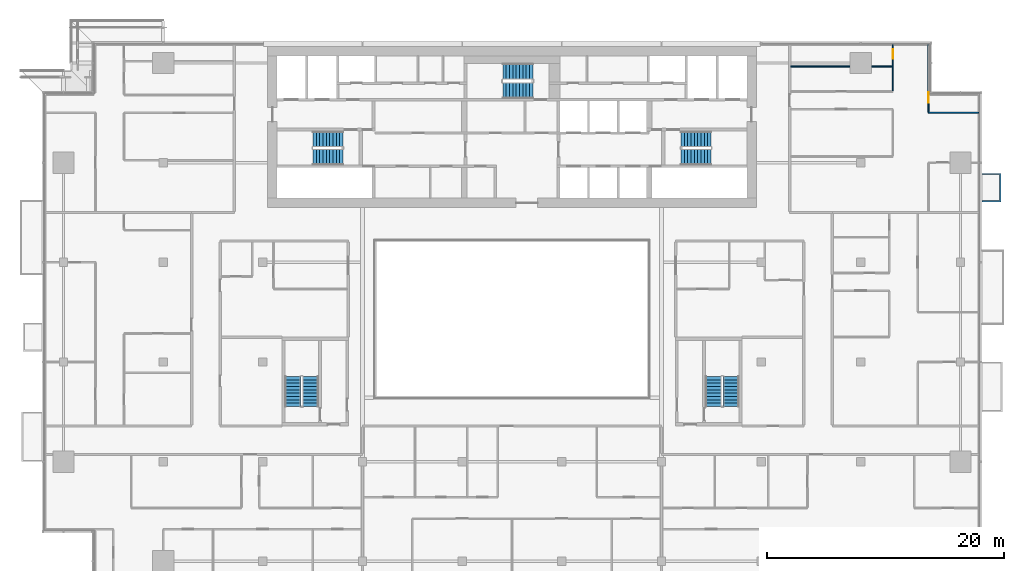
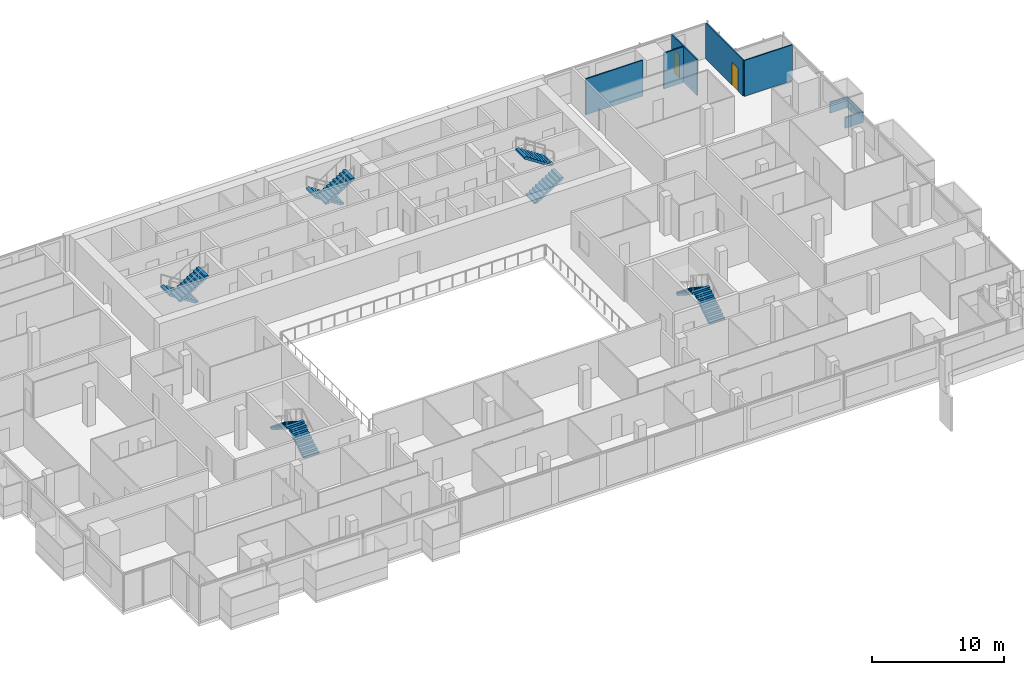
# One storey, part 24 of 30: 10 stair flights, 6 walls, 2 doors, 2 openings, 5 elements without a shape of their own.
"""IFC4 building model written with IfcOpenShell, lengths in metres."""

from ifc_helpers import new_model, si_unit, direction, frame, frame_2d, origin, place, context, subcontext, project, spatial, polyline, rectangle, outline, extrude, material, layer, layer_set, type_object, element, fill, aggregate, save


model = new_model("IFC4")

# Units and contexts
model_context = context("Model", 3, precision=1e-05, world=origin(), true_north=direction((0.0, 1.0)))
body_context = subcontext(model_context, "Body", "Model", "MODEL_VIEW")
ifc_project = project(units=[si_unit("LENGTHUNIT", "METRE"), si_unit("AREAUNIT", "SQUARE_METRE"), si_unit("VOLUMEUNIT", "CUBIC_METRE"), si_unit("PLANEANGLEUNIT", "RADIAN"), si_unit("MASSUNIT", "GRAM", prefix="KILO")], contexts=[model_context])

# Site, building, storey
site_placement = place(None, origin())
site = spatial("IfcSite", under=ifc_project, at=site_placement, CompositionType="ELEMENT")
building_placement = place(site_placement, origin())
building = spatial("IfcBuilding", under=site, at=building_placement, Name="Saffron Gate Tower", CompositionType="ELEMENT")
storey_placement = place(building_placement, frame((0.0, 0.0, 158.25)))
storey = spatial("IfcBuildingStorey", under=building, at=storey_placement, Name="L38", CompositionType="ELEMENT", Elevation=158.25)

# Walls
ifc_material_1 = material(Name="Plasterboard on steel studs", Category="steel")
ifc_layer_1 = layer(ifc_material_1, 0.10009765625)
ifc_layer_set_1 = layer_set([ifc_layer_1], Name="PW1 Partition 100")
wall_type_1 = type_object("IfcWallType", Name="PW1 Partition 100", PredefinedType="PARTITIONING", material=ifc_layer_set_1)
wall_1_placement = place(storey_placement, frame((122.699951171875, 69.60009765625, 0.0), z_axis=(0.0, 0.0, 1.0), x_axis=(1.0, 0.0, 0.0)))
element("IfcWall", 1, at=wall_1_placement, inside=storey, type_object=wall_type_1, Name="Partition C2-54", PredefinedType="PARTITIONING", context=body_context, shape_type="SweptSolid", body=[
    extrude(rectangle(XDim=4.219970703125, YDim=0.10009765625, at=frame_2d((2.10986328125, 0.0))), origin(), (0.0, 0.0, 1.0), 3.320068359375),
])
wall_2_placement = place(storey_placement, frame((111.10009765625, 73.5, 0.0), z_axis=(0.0, 0.0, 1.0), x_axis=(1.0, 0.0, 0.0)))
element("IfcWall", 2, at=wall_2_placement, inside=storey, type_object=wall_type_1, Name="Partition C2-58", PredefinedType="PARTITIONING", context=body_context, shape_type="SweptSolid", body=[
    extrude(rectangle(XDim=4.97998046875, YDim=0.10009765625, at=frame_2d((2.489990234375, 0.0))), origin(), (0.0, 0.0, 1.0), 3.320068359375),
])
wall_3_placement = place(storey_placement, frame((117.919921875, 73.5, 0.0), z_axis=(0.0, 0.0, 1.0), x_axis=(1.0, 0.0, 0.0)))
element("IfcWall", 3, at=wall_3_placement, inside=storey, type_object=wall_type_1, Name="Partition C2-59", PredefinedType="PARTITIONING", context=body_context, shape_type="SweptSolid", body=[
    extrude(rectangle(XDim=1.72998046875, YDim=0.10009765625, at=frame_2d((0.864990234375, 0.0))), origin(), (0.0, 0.0, 1.0), 3.320068359375),
])

# Wall, opening, door
wall_4_placement = place(storey_placement, frame((119.699951171875, 71.449951171875, 0.0), z_axis=(0.0, 0.0, 1.0), x_axis=(0.0, 1.0, 0.0)))
wall_4 = element("IfcWall", 4, at=wall_4_placement, inside=storey, type_object=wall_type_1, Name="Partition C2-113", PredefinedType="PARTITIONING", context=body_context, shape_type="SweptSolid", body=[
    extrude(rectangle(XDim=3.8701171875, YDim=0.10009765625, at=frame_2d((1.93505859375, 0.0))), origin(), (0.0, 0.0, 1.0), 3.320068359375),
])
opening_1_placement = place(wall_4_placement, frame((2.699951171875, 0.0, 0.0)))
opening_1 = element("IfcOpeningElement", 5, at=opening_1_placement, cuts=wall_4, Name="Opening C2-51", PredefinedType="OPENING", context=body_context, shape_type="SweptSolid", body=[
    extrude(rectangle(XDim=0.800048828125, YDim=2.10009765625, at=frame_2d((0.39990234375, 1.050048828125))), frame((0.0, 0.06005859375, 0.0), z_axis=(0.0, -1.0, 0.0), x_axis=(1.0, 0.0, 0.0)), (0.0, 0.0, 1.0), 0.1201171875),
])
ifc_material_2 = material(Name="Timber door set", Category="wood")
door_type_1 = type_object("IfcDoorType", Name="RD2 Bathroom door 800x2100", OperationType="NOTDEFINED", PredefinedType="DOOR", material=ifc_material_2)
door_1_placement = place(opening_1_placement, origin())
door_1 = element("IfcDoor", 6, at=door_1_placement, inside=storey, type_object=door_type_1, Name="Door C2-51", OperationType="SINGLE_SWING_RIGHT", OverallHeight=2.10009765625, OverallWidth=0.800048828125, PredefinedType="DOOR", context=body_context, shape_type="SweptSolid", body=[
    extrude(rectangle(XDim=0.800048828125, YDim=2.10009765625, at=frame_2d((0.39990234375, 1.050048828125))), frame((0.0, 0.02490234375, 0.0), z_axis=(0.0, -1.0, 0.0), x_axis=(1.0, 0.0, 0.0)), (0.0, 0.0, 1.0), 0.050048828125),
])
fill(opening_1, door_1)

wall_5_placement = place(storey_placement, frame((122.699951171875, 75.320068359375, 0.0), z_axis=(0.0, 0.0, 1.0), x_axis=(0.0, -1.0, 0.0)))
wall_5 = element("IfcWall", 7, at=wall_5_placement, inside=storey, type_object=wall_type_1, Name="Partition C2-119", PredefinedType="PARTITIONING", context=body_context, shape_type="SweptSolid", body=[
    extrude(rectangle(XDim=5.670166015625, YDim=0.10009765625, at=frame_2d((2.8349609375, 0.0))), origin(), (0.0, 0.0, 1.0), 3.320068359375),
])
opening_2_placement = place(wall_5_placement, frame((3.96630859375, 0.0, 0.0)))
opening_2 = element("IfcOpeningElement", 8, at=opening_2_placement, cuts=wall_5, Name="Opening C2-35", PredefinedType="OPENING", context=body_context, shape_type="SweptSolid", body=[
    extrude(rectangle(XDim=0.89990234375, YDim=2.10009765625, at=frame_2d((0.449951171875, 1.050048828125))), frame((0.0, 0.06005859375, 0.0), z_axis=(0.0, -1.0, 0.0), x_axis=(1.0, 0.0, 0.0)), (0.0, 0.0, 1.0), 0.1201171875),
])
door_type_2 = type_object("IfcDoorType", Name="RD1 Room door 900x2100", OperationType="NOTDEFINED", PredefinedType="DOOR", material=ifc_material_2)
door_2_placement = place(opening_2_placement, origin())
door_2 = element("IfcDoor", 9, at=door_2_placement, inside=storey, type_object=door_type_2, Name="Door C2-35", OperationType="SINGLE_SWING_RIGHT", OverallHeight=2.10009765625, OverallWidth=0.89990234375, PredefinedType="DOOR", context=body_context, shape_type="SweptSolid", body=[
    extrude(rectangle(XDim=0.89990234375, YDim=2.10009765625, at=frame_2d((0.449951171875, 1.050048828125))), frame((0.0, 0.02490234375, 0.0), z_axis=(0.0, -1.0, 0.0), x_axis=(1.0, 0.0, 0.0)), (0.0, 0.0, 1.0), 0.050048828125),
])
fill(opening_2, door_2)

# Wall
ifc_material_3 = material(Name="Rendered insulated panel, white")
ifc_layer_2 = layer(ifc_material_3, 0.10009765625)
ifc_layer_set_2 = layer_set([ifc_layer_2], Name="WB3 box parapet white")
wall_type_2 = type_object("IfcWallType", Name="WB3 box parapet white", PredefinedType="SOLIDWALL", material=ifc_layer_set_2)
wall_6_placement = place(storey_placement, origin())
element("IfcWall", 10, at=wall_6_placement, inside=storey, type_object=wall_type_2, Name="WINDOW BOX parapet", PredefinedType="SOLIDWALL", context=body_context, shape_type="SweptSolid", body=[
    extrude(outline(polyline([(127.199951171875, 62.10009765625), (127.199951171875, 62.199951171875), (128.699951171875, 62.199951171875), (128.699951171875, 64.39990234375), (127.199951171875, 64.39990234375), (127.199951171875, 64.5), (128.800048828125, 64.5), (128.800048828125, 62.10009765625), (127.199951171875, 62.10009765625)])), origin(), (0.0, 0.0, 1.0), 1.0),
])

# Stair, stair flights
ifc_material_4 = material(Name="Concrete C40", Category="concrete")
stair_type = type_object("IfcStairType", Name="ST7 Stair 1350 wide, 20 risers of 180", PredefinedType="HALF_TURN_STAIR", material=ifc_material_4)
stair_1_placement = place(storey_placement, origin())
stair_1 = element("IfcStair", 11, at=stair_1_placement, inside=storey, type_object=stair_type, Name="L38 Exit stair A", PredefinedType="HALF_TURN_STAIR")
stair_flight_type = type_object("IfcStairFlightType", Name="SF3 Stair flight 1350 wide, riser 180 going 280", PredefinedType="STRAIGHT", material=ifc_material_4)
stair_flight_1_placement = place(storey_placement, frame((73.35009765625, 67.375, 0.0), z_axis=(0.0, 0.0, 1.0), x_axis=(-1.0, 0.0, 0.0)))
stair_flight_1 = element("IfcStairFlight", 12, at=stair_flight_1_placement, type_object=stair_flight_type, Name="ST-A flight 1", NumberOfRisers=10, NumberOfTreads=9, PredefinedType="STRAIGHT", RiserHeight=0.18, TreadLength=0.28, context=body_context, shape_type="SweptSolid", body=[
    extrude(outline(polyline([(0.0, 0.0), (0.0, 0.179931640625), (0.280029296875, 0.179931640625), (0.280029296875, 0.360107421875), (0.56005859375, 0.360107421875), (0.56005859375, 0.5400390625), (0.840087890625, 0.5400390625), (0.840087890625, 0.719970703125), (1.1201171875, 0.719970703125), (1.1201171875, 0.89990234375), (1.39990234375, 0.89990234375), (1.39990234375, 1.080078125), (1.679931640625, 1.080078125), (1.679931640625, 1.260009765625), (1.9599609375, 1.260009765625), (1.9599609375, 1.43994140625), (2.239990234375, 1.43994140625), (2.239990234375, 1.6201171875), (2.52001953125, 1.6201171875), (2.52001953125, 1.800048828125), (2.52001953125, 1.44189453125), (0.277099609375, 0.0), (0.0, 0.0)])), frame((0.0, 0.675048828125, 0.0), z_axis=(0.0, -1.0, 0.0), x_axis=(1.0, 0.0, 0.0)), (0.0, 0.0, 1.0), 1.35009765625),
])
stair_flight_2_placement = place(storey_placement, frame((70.830078125, 65.875, 1.800048828125), z_axis=(0.0, 0.0, 1.0), x_axis=(1.0, 0.0, 0.0)))
stair_flight_2 = element("IfcStairFlight", 13, at=stair_flight_2_placement, type_object=stair_flight_type, Name="ST-A flight 2", NumberOfRisers=10, NumberOfTreads=9, PredefinedType="STRAIGHT", RiserHeight=0.18, TreadLength=0.28, context=body_context, shape_type="SweptSolid", body=[
    extrude(outline(polyline([(0.0, 0.0), (0.0, 0.179931640625), (0.280029296875, 0.179931640625), (0.280029296875, 0.360107421875), (0.56005859375, 0.360107421875), (0.56005859375, 0.5400390625), (0.840087890625, 0.5400390625), (0.840087890625, 0.719970703125), (1.1201171875, 0.719970703125), (1.1201171875, 0.89990234375), (1.39990234375, 0.89990234375), (1.39990234375, 1.080078125), (1.679931640625, 1.080078125), (1.679931640625, 1.260009765625), (1.9599609375, 1.260009765625), (1.9599609375, 1.43994140625), (2.239990234375, 1.43994140625), (2.239990234375, 1.6201171875), (2.52001953125, 1.6201171875), (2.52001953125, 1.800048828125), (2.52001953125, 1.44189453125), (0.277099609375, 0.0), (0.0, 0.0)])), frame((0.0, 0.675048828125, 0.0), z_axis=(0.0, -1.0, 0.0), x_axis=(1.0, 0.0, 0.0)), (0.0, 0.0, 1.0), 1.35009765625),
])
aggregate(stair_1, [stair_flight_1, stair_flight_2])

stair_2_placement = place(storey_placement, origin())
stair_2 = element("IfcStair", 14, at=stair_2_placement, inside=storey, type_object=stair_type, Name="L38 Exit stair B", PredefinedType="HALF_TURN_STAIR")
stair_flight_3_placement = place(storey_placement, frame((101.85009765625, 65.875, 0.0), z_axis=(0.0, 0.0, 1.0), x_axis=(1.0, 0.0, 0.0)))
stair_flight_3 = element("IfcStairFlight", 15, at=stair_flight_3_placement, type_object=stair_flight_type, Name="ST-B flight 1", NumberOfRisers=10, NumberOfTreads=9, PredefinedType="STRAIGHT", RiserHeight=0.18, TreadLength=0.28, context=body_context, shape_type="SweptSolid", body=[
    extrude(outline(polyline([(0.0, 0.0), (0.0, 0.179931640625), (0.280029296875, 0.179931640625), (0.280029296875, 0.360107421875), (0.56005859375, 0.360107421875), (0.56005859375, 0.5400390625), (0.840087890625, 0.5400390625), (0.840087890625, 0.719970703125), (1.1201171875, 0.719970703125), (1.1201171875, 0.89990234375), (1.39990234375, 0.89990234375), (1.39990234375, 1.080078125), (1.679931640625, 1.080078125), (1.679931640625, 1.260009765625), (1.9599609375, 1.260009765625), (1.9599609375, 1.43994140625), (2.239990234375, 1.43994140625), (2.239990234375, 1.6201171875), (2.52001953125, 1.6201171875), (2.52001953125, 1.800048828125), (2.52001953125, 1.44189453125), (0.277099609375, 0.0), (0.0, 0.0)])), frame((0.0, 0.675048828125, 0.0), z_axis=(0.0, -1.0, 0.0), x_axis=(1.0, 0.0, 0.0)), (0.0, 0.0, 1.0), 1.35009765625),
])
stair_flight_4_placement = place(storey_placement, frame((104.3701171875, 67.375, 1.800048828125), z_axis=(0.0, 0.0, 1.0), x_axis=(-1.0, 0.0, 0.0)))
stair_flight_4 = element("IfcStairFlight", 16, at=stair_flight_4_placement, type_object=stair_flight_type, Name="ST-B flight 2", NumberOfRisers=10, NumberOfTreads=9, PredefinedType="STRAIGHT", RiserHeight=0.18, TreadLength=0.28, context=body_context, shape_type="SweptSolid", body=[
    extrude(outline(polyline([(0.0, 0.0), (0.0, 0.179931640625), (0.280029296875, 0.179931640625), (0.280029296875, 0.360107421875), (0.56005859375, 0.360107421875), (0.56005859375, 0.5400390625), (0.840087890625, 0.5400390625), (0.840087890625, 0.719970703125), (1.1201171875, 0.719970703125), (1.1201171875, 0.89990234375), (1.39990234375, 0.89990234375), (1.39990234375, 1.080078125), (1.679931640625, 1.080078125), (1.679931640625, 1.260009765625), (1.9599609375, 1.260009765625), (1.9599609375, 1.43994140625), (2.239990234375, 1.43994140625), (2.239990234375, 1.6201171875), (2.52001953125, 1.6201171875), (2.52001953125, 1.800048828125), (2.52001953125, 1.44189453125), (0.277099609375, 0.0), (0.0, 0.0)])), frame((0.0, 0.675048828125, 0.0), z_axis=(0.0, -1.0, 0.0), x_axis=(1.0, 0.0, 0.0)), (0.0, 0.0, 1.0), 1.35009765625),
])
aggregate(stair_2, [stair_flight_3, stair_flight_4])

stair_3_placement = place(storey_placement, origin())
stair_3 = element("IfcStair", 17, at=stair_3_placement, inside=storey, type_object=stair_type, Name="L38 Exit stair C", PredefinedType="HALF_TURN_STAIR")
stair_flight_5_placement = place(storey_placement, frame((89.35009765625, 73.074951171875, 0.0), z_axis=(0.0, 0.0, 1.0), x_axis=(-1.0, 0.0, 0.0)))
stair_flight_5 = element("IfcStairFlight", 18, at=stair_flight_5_placement, type_object=stair_flight_type, Name="ST-C flight 1", NumberOfRisers=10, NumberOfTreads=9, PredefinedType="STRAIGHT", RiserHeight=0.18, TreadLength=0.28, context=body_context, shape_type="SweptSolid", body=[
    extrude(outline(polyline([(0.0, 0.0), (0.0, 0.179931640625), (0.280029296875, 0.179931640625), (0.280029296875, 0.360107421875), (0.56005859375, 0.360107421875), (0.56005859375, 0.5400390625), (0.840087890625, 0.5400390625), (0.840087890625, 0.719970703125), (1.1201171875, 0.719970703125), (1.1201171875, 0.89990234375), (1.39990234375, 0.89990234375), (1.39990234375, 1.080078125), (1.679931640625, 1.080078125), (1.679931640625, 1.260009765625), (1.9599609375, 1.260009765625), (1.9599609375, 1.43994140625), (2.239990234375, 1.43994140625), (2.239990234375, 1.6201171875), (2.52001953125, 1.6201171875), (2.52001953125, 1.800048828125), (2.52001953125, 1.44189453125), (0.277099609375, 0.0), (0.0, 0.0)])), frame((0.0, 0.675048828125, 0.0), z_axis=(0.0, -1.0, 0.0), x_axis=(1.0, 0.0, 0.0)), (0.0, 0.0, 1.0), 1.35009765625),
])
stair_flight_6_placement = place(storey_placement, frame((86.830078125, 71.47509765625, 1.800048828125), z_axis=(0.0, 0.0, 1.0), x_axis=(1.0, 0.0, 0.0)))
stair_flight_6 = element("IfcStairFlight", 19, at=stair_flight_6_placement, type_object=stair_flight_type, Name="ST-C flight 2", NumberOfRisers=10, NumberOfTreads=9, PredefinedType="STRAIGHT", RiserHeight=0.18, TreadLength=0.28, context=body_context, shape_type="SweptSolid", body=[
    extrude(outline(polyline([(0.0, 0.0), (0.0, 0.179931640625), (0.280029296875, 0.179931640625), (0.280029296875, 0.360107421875), (0.56005859375, 0.360107421875), (0.56005859375, 0.5400390625), (0.840087890625, 0.5400390625), (0.840087890625, 0.719970703125), (1.1201171875, 0.719970703125), (1.1201171875, 0.89990234375), (1.39990234375, 0.89990234375), (1.39990234375, 1.080078125), (1.679931640625, 1.080078125), (1.679931640625, 1.260009765625), (1.9599609375, 1.260009765625), (1.9599609375, 1.43994140625), (2.239990234375, 1.43994140625), (2.239990234375, 1.6201171875), (2.52001953125, 1.6201171875), (2.52001953125, 1.800048828125), (2.52001953125, 1.44189453125), (0.277099609375, 0.0), (0.0, 0.0)])), frame((0.0, 0.675048828125, 0.0), z_axis=(0.0, -1.0, 0.0), x_axis=(1.0, 0.0, 0.0)), (0.0, 0.0, 1.0), 1.35009765625),
])
aggregate(stair_3, [stair_flight_5, stair_flight_6])

stair_4_placement = place(storey_placement, origin())
stair_4 = element("IfcStair", 20, at=stair_4_placement, inside=storey, type_object=stair_type, Name="L38 Exit stair D", PredefinedType="HALF_TURN_STAIR")
stair_flight_7_placement = place(storey_placement, frame((70.625, 44.85009765625, 0.0), z_axis=(0.0, 0.0, 1.0), x_axis=(0.0, 1.0, 0.0)))
stair_flight_7 = element("IfcStairFlight", 21, at=stair_flight_7_placement, type_object=stair_flight_type, Name="ST-D flight 1", NumberOfRisers=10, NumberOfTreads=9, PredefinedType="STRAIGHT", RiserHeight=0.18, TreadLength=0.28, context=body_context, shape_type="SweptSolid", body=[
    extrude(outline(polyline([(0.0, 0.0), (0.0, 0.179931640625), (0.280029296875, 0.179931640625), (0.280029296875, 0.360107421875), (0.56005859375, 0.360107421875), (0.56005859375, 0.5400390625), (0.840087890625, 0.5400390625), (0.840087890625, 0.719970703125), (1.1201171875, 0.719970703125), (1.1201171875, 0.89990234375), (1.39990234375, 0.89990234375), (1.39990234375, 1.080078125), (1.679931640625, 1.080078125), (1.679931640625, 1.260009765625), (1.9599609375, 1.260009765625), (1.9599609375, 1.43994140625), (2.239990234375, 1.43994140625), (2.239990234375, 1.6201171875), (2.52001953125, 1.6201171875), (2.52001953125, 1.800048828125), (2.52001953125, 1.44189453125), (0.277099609375, 0.0), (0.0, 0.0)])), frame((0.0, 0.675048828125, 0.0), z_axis=(0.0, -1.0, 0.0), x_axis=(1.0, 0.0, 0.0)), (0.0, 0.0, 1.0), 1.35009765625),
])
stair_flight_8_placement = place(storey_placement, frame((69.125, 47.3701171875, 1.800048828125), z_axis=(0.0, 0.0, 1.0), x_axis=(0.0, -1.0, 0.0)))
stair_flight_8 = element("IfcStairFlight", 22, at=stair_flight_8_placement, type_object=stair_flight_type, Name="ST-D flight 2", NumberOfRisers=10, NumberOfTreads=9, PredefinedType="STRAIGHT", RiserHeight=0.18, TreadLength=0.28, context=body_context, shape_type="SweptSolid", body=[
    extrude(outline(polyline([(0.0, 0.0), (0.0, 0.179931640625), (0.280029296875, 0.179931640625), (0.280029296875, 0.360107421875), (0.56005859375, 0.360107421875), (0.56005859375, 0.5400390625), (0.840087890625, 0.5400390625), (0.840087890625, 0.719970703125), (1.1201171875, 0.719970703125), (1.1201171875, 0.89990234375), (1.39990234375, 0.89990234375), (1.39990234375, 1.080078125), (1.679931640625, 1.080078125), (1.679931640625, 1.260009765625), (1.9599609375, 1.260009765625), (1.9599609375, 1.43994140625), (2.239990234375, 1.43994140625), (2.239990234375, 1.6201171875), (2.52001953125, 1.6201171875), (2.52001953125, 1.800048828125), (2.52001953125, 1.44189453125), (0.277099609375, 0.0), (0.0, 0.0)])), frame((0.0, 0.675048828125, 0.0), z_axis=(0.0, -1.0, 0.0), x_axis=(1.0, 0.0, 0.0)), (0.0, 0.0, 1.0), 1.35009765625),
])
aggregate(stair_4, [stair_flight_7, stair_flight_8])

stair_5_placement = place(storey_placement, origin())
stair_5 = element("IfcStair", 23, at=stair_5_placement, inside=storey, type_object=stair_type, Name="L38 Exit stair E", PredefinedType="HALF_TURN_STAIR")
stair_flight_9_placement = place(storey_placement, frame((106.074951171875, 44.85009765625, 0.0), z_axis=(0.0, 0.0, 1.0), x_axis=(0.0, 1.0, 0.0)))
stair_flight_9 = element("IfcStairFlight", 24, at=stair_flight_9_placement, type_object=stair_flight_type, Name="ST-E flight 1", NumberOfRisers=10, NumberOfTreads=9, PredefinedType="STRAIGHT", RiserHeight=0.18, TreadLength=0.28, context=body_context, shape_type="SweptSolid", body=[
    extrude(outline(polyline([(0.0, 0.0), (0.0, 0.179931640625), (0.280029296875, 0.179931640625), (0.280029296875, 0.360107421875), (0.56005859375, 0.360107421875), (0.56005859375, 0.5400390625), (0.840087890625, 0.5400390625), (0.840087890625, 0.719970703125), (1.1201171875, 0.719970703125), (1.1201171875, 0.89990234375), (1.39990234375, 0.89990234375), (1.39990234375, 1.080078125), (1.679931640625, 1.080078125), (1.679931640625, 1.260009765625), (1.9599609375, 1.260009765625), (1.9599609375, 1.43994140625), (2.239990234375, 1.43994140625), (2.239990234375, 1.6201171875), (2.52001953125, 1.6201171875), (2.52001953125, 1.800048828125), (2.52001953125, 1.44189453125), (0.277099609375, 0.0), (0.0, 0.0)])), frame((0.0, 0.675048828125, 0.0), z_axis=(0.0, -1.0, 0.0), x_axis=(1.0, 0.0, 0.0)), (0.0, 0.0, 1.0), 1.35009765625),
])
stair_flight_10_placement = place(storey_placement, frame((104.574951171875, 47.3701171875, 1.800048828125), z_axis=(0.0, 0.0, 1.0), x_axis=(0.0, -1.0, 0.0)))
stair_flight_10 = element("IfcStairFlight", 25, at=stair_flight_10_placement, type_object=stair_flight_type, Name="ST-E flight 2", NumberOfRisers=10, NumberOfTreads=9, PredefinedType="STRAIGHT", RiserHeight=0.18, TreadLength=0.28, context=body_context, shape_type="SweptSolid", body=[
    extrude(outline(polyline([(0.0, 0.0), (0.0, 0.179931640625), (0.280029296875, 0.179931640625), (0.280029296875, 0.360107421875), (0.56005859375, 0.360107421875), (0.56005859375, 0.5400390625), (0.840087890625, 0.5400390625), (0.840087890625, 0.719970703125), (1.1201171875, 0.719970703125), (1.1201171875, 0.89990234375), (1.39990234375, 0.89990234375), (1.39990234375, 1.080078125), (1.679931640625, 1.080078125), (1.679931640625, 1.260009765625), (1.9599609375, 1.260009765625), (1.9599609375, 1.43994140625), (2.239990234375, 1.43994140625), (2.239990234375, 1.6201171875), (2.52001953125, 1.6201171875), (2.52001953125, 1.800048828125), (2.52001953125, 1.44189453125), (0.277099609375, 0.0), (0.0, 0.0)])), frame((0.0, 0.675048828125, 0.0), z_axis=(0.0, -1.0, 0.0), x_axis=(1.0, 0.0, 0.0)), (0.0, 0.0, 1.0), 1.35009765625),
])
aggregate(stair_5, [stair_flight_9, stair_flight_10])

save(model, "model.ifc")
